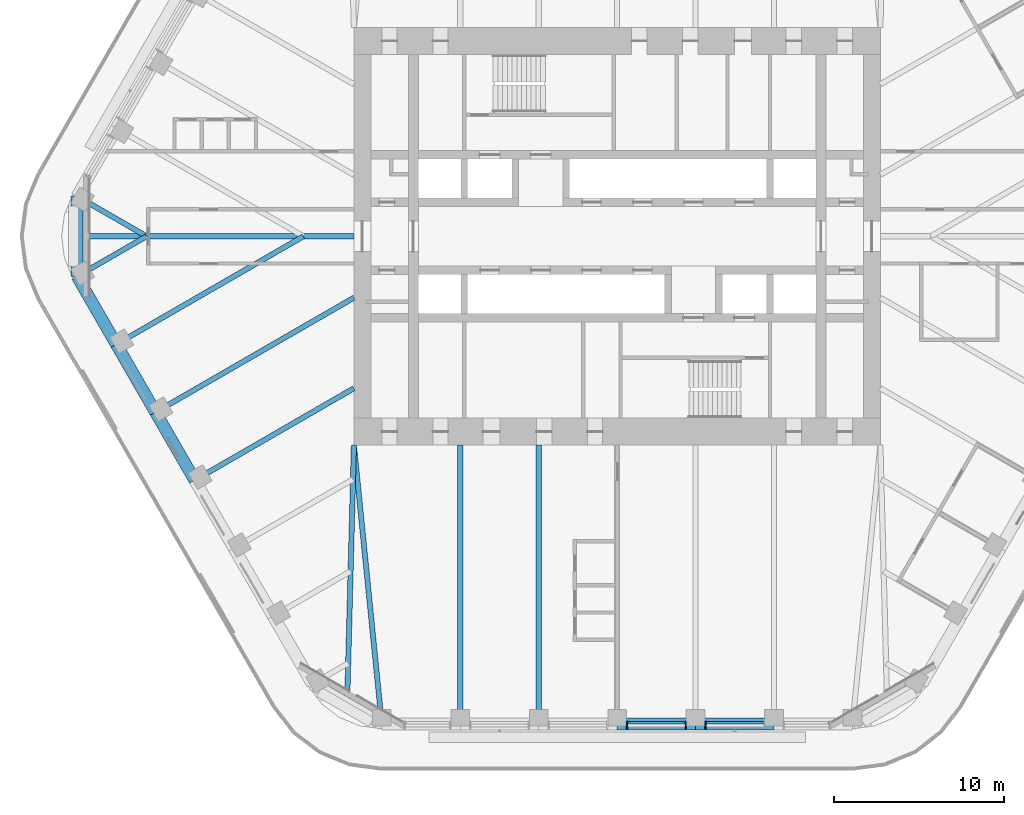
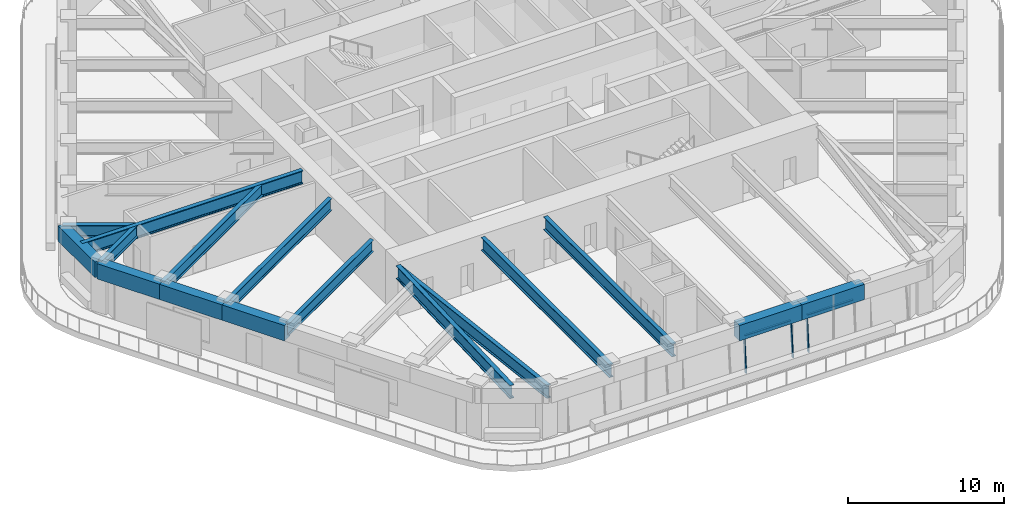
# One storey, part 3 of 20: 16 beams, 5 members, 2 elements without a shape of their own.
"""IFC4 building model written with IfcOpenShell, lengths in metres."""

from ifc_helpers import new_model, si_unit, direction, frame, origin, origin_2d, place, context, subcontext, project, spatial, rectangle, i_section, extrude, material, material_profile, profile_set, type_object, element, aggregate, save


model = new_model("IFC4")

# Units and contexts
model_context = context("Model", 3, precision=1e-05, world=origin(), true_north=direction((0.0, 1.0)))
body_context = subcontext(model_context, "Body", "Model", "MODEL_VIEW")
ifc_project = project(units=[si_unit("LENGTHUNIT", "METRE"), si_unit("AREAUNIT", "SQUARE_METRE"), si_unit("VOLUMEUNIT", "CUBIC_METRE"), si_unit("PLANEANGLEUNIT", "RADIAN"), si_unit("MASSUNIT", "GRAM", prefix="KILO")], contexts=[model_context])

# Site, building, storey
site_placement = place(None, origin())
site = spatial("IfcSite", under=ifc_project, at=site_placement, CompositionType="ELEMENT")
building_placement = place(site_placement, origin())
building = spatial("IfcBuilding", under=site, at=building_placement, Name="Tarfa Lantern Tower", CompositionType="ELEMENT")
storey_placement = place(building_placement, frame((0.0, 0.0, 278.5)))
storey = spatial("IfcBuildingStorey", under=building, at=storey_placement, Name="L63", CompositionType="ELEMENT", Elevation=278.5)

# Curtain wall, members
ifc_material_1 = material(Name="Aluminium framed curtain wall", Category="aluminium")
curtain_wall_type = type_object("IfcCurtainWallType", Name="CW3 CANTED GLAZING HIGH ZONE 2800", PredefinedType="USERDEFINED", material=ifc_material_1)
curtain_wall_1_placement = place(storey_placement, origin())
curtain_wall_1 = element("IfcCurtainWall", 1, at=curtain_wall_1_placement, inside=storey, type_object=curtain_wall_type, Name="CW3 S L63", ObjectType="CURTAIN WALL", PredefinedType="USERDEFINED")
ifc_material_2 = material(Name="Aluminium mullion", Category="aluminium")
ifc_material_profile_1 = material_profile(ifc_material_2, rectangle(XDim=0.06494140625, YDim=0.199951171875, at=origin_2d()), Name="AL MULLION 65x200")
ifc_profile_set_1 = profile_set([ifc_material_profile_1], Name="Aluminium mullion")
member_type_1 = type_object("IfcMemberType", Name="CWM1 MULLION 65x200", PredefinedType="MULLION", material=ifc_profile_set_1)
member_1_placement = place(storey_placement, frame((0.58251953125, -28.89990234375, 0.0), z_axis=(0.0, 0.088930399417, 0.996037842685), x_axis=(-1.0, 0.0, 0.0)))
member_1 = element("IfcMember", 2, at=member_1_placement, type_object=member_type_1, Name="CW3 mullion 1", PredefinedType="MULLION", context=body_context, shape_type="SweptSolid", body=[
    extrude(rectangle(XDim=0.06494140625, YDim=0.199951171875, at=origin_2d()), origin(), (0.0, 0.0, 1.0), 2.811279296875),
])
member_2_placement = place(storey_placement, frame((4.036376953125, -28.89990234375, 0.0), z_axis=(0.0, 0.088930399417, 0.996037842685), x_axis=(-1.0, 0.0, 0.0)))
member_2 = element("IfcMember", 3, at=member_2_placement, type_object=member_type_1, Name="CW3 mullion 2", PredefinedType="MULLION", context=body_context, shape_type="SweptSolid", body=[
    extrude(rectangle(XDim=0.06494140625, YDim=0.199951171875, at=origin_2d()), origin(), (0.0, 0.0, 1.0), 2.811279296875),
])

# Curtain wall, member
curtain_wall_2_placement = place(storey_placement, origin())
curtain_wall_2 = element("IfcCurtainWall", 4, at=curtain_wall_2_placement, inside=storey, type_object=curtain_wall_type, Name="CW3 S L63", ObjectType="CURTAIN WALL", PredefinedType="USERDEFINED")
member_3_placement = place(storey_placement, frame((5.201416015625, -28.89990234375, 0.0), z_axis=(0.0, 0.088930399417, 0.996037842685), x_axis=(-1.0, 0.0, 0.0)))
member_3 = element("IfcMember", 5, at=member_3_placement, type_object=member_type_1, Name="CW3 mullion 1", PredefinedType="MULLION", context=body_context, shape_type="SweptSolid", body=[
    extrude(rectangle(XDim=0.06494140625, YDim=0.199951171875, at=origin_2d()), origin(), (0.0, 0.0, 1.0), 2.811279296875),
])

# Member
ifc_material_3 = material(Name="Aluminium transom", Category="aluminium")
ifc_material_profile_2 = material_profile(ifc_material_3, rectangle(XDim=0.14990234375, YDim=0.06494140625, at=origin_2d()), Name="AL TRANSOM 150x65")
ifc_profile_set_2 = profile_set([ifc_material_profile_2], Name="Aluminium transom")
member_type_2 = type_object("IfcMemberType", Name="CWT1 TRANSOM 150x65", PredefinedType="USERDEFINED", material=ifc_profile_set_2)
member_4_placement = place(storey_placement, frame((0.614990234375, -28.65283203125, 2.767578125), z_axis=(1.0, 0.0, 0.0), x_axis=(0.0, 1.0, 0.0)))
member_4 = element("IfcMember", 6, at=member_4_placement, type_object=member_type_2, Name="CW3 transom 1.2", ObjectType="TRANSOM", PredefinedType="USERDEFINED", context=body_context, shape_type="SweptSolid", body=[
    extrude(rectangle(XDim=0.14990234375, YDim=0.06494140625, at=origin_2d()), origin(), (0.0, 0.0, 1.0), 3.388916015625),
])

aggregate(curtain_wall_1, [member_1, member_2, member_4])

member_5_placement = place(storey_placement, frame((5.23388671875, -28.65283203125, 2.767578125), z_axis=(1.0, 0.0, 0.0), x_axis=(0.0, 1.0, 0.0)))
member_5 = element("IfcMember", 7, at=member_5_placement, type_object=member_type_2, Name="CW3 transom 1.2", ObjectType="TRANSOM", PredefinedType="USERDEFINED", context=body_context, shape_type="SweptSolid", body=[
    extrude(rectangle(XDim=0.14990234375, YDim=0.06494140625, at=origin_2d()), origin(), (0.0, 0.0, 1.0), 3.388671875),
])

aggregate(curtain_wall_2, [member_3, member_5])

# Beams
ifc_material_4 = material(Name="Concrete C80/95", Category="concrete")
ifc_material_profile_3 = material_profile(ifc_material_4, rectangle(XDim=0.699951171875, YDim=1.199951171875, at=origin_2d()), Name="RC 700x1200")
ifc_profile_set_3 = profile_set([ifc_material_profile_3], Name="Concrete C80/95")
beam_type_1 = type_object("IfcBeamType", Name="EB3 RC 700x1200", PredefinedType="SPANDREL", material=ifc_profile_set_3)
beam_1_placement = place(storey_placement, frame((-31.800537109375, 2.360107421875, 3.39990234375), z_axis=(0.0, -1.0, 0.0), x_axis=(1.0, 0.0, 0.0)))
element("IfcBeam", 8, at=beam_1_placement, inside=storey, type_object=beam_type_1, Name="Edge beam NW6", PredefinedType="SPANDREL", context=body_context, shape_type="SweptSolid", body=[
    extrude(rectangle(XDim=0.699951171875, YDim=1.199951171875, at=origin_2d()), origin(), (0.0, 0.0, 1.0), 4.72021484375),
])
beam_2_placement = place(storey_placement, frame((-31.800537109375, -2.360107421875, 3.39990234375), z_axis=(0.500027479704, -0.866009537788, 0.0), x_axis=(0.866009537788, 0.500027479704, 0.0)))
element("IfcBeam", 9, at=beam_2_placement, inside=storey, type_object=beam_type_1, Name="Edge beam SW0", PredefinedType="SPANDREL", context=body_context, shape_type="SweptSolid", body=[
    extrude(rectangle(XDim=0.699951171875, YDim=1.199951171875, at=origin_2d()), origin(), (0.0, 0.0, 1.0), 4.618896484375),
])
for number, where, z_axis, x_axis, name in (
    (10, (-29.490966796875, -6.360107421875, 3.39990234375), (0.499987836815, -0.866032426089, 0.0), (0.866032426089, 0.499987836815, 0.0), "Edge beam SW1"),
    (11, (-27.181640625, -10.360107421875, 3.39990234375), (0.499987836815, -0.866032426089, 0.0), (0.866032426089, 0.499987836815, 0.0), "Edge beam SW2"),
):
    element("IfcBeam", number, at=place(storey_placement, frame(where, z_axis=z_axis, x_axis=x_axis)), inside=storey, type_object=beam_type_1, Name=name, PredefinedType="SPANDREL", context=body_context, shape_type="SweptSolid", body=[
        extrude(rectangle(XDim=0.699951171875, YDim=1.199951171875, at=origin_2d()), origin(), (0.0, 0.0, 1.0), 4.61865234375),
    ])
beam_3_placement = place(storey_placement, frame((0.0, -28.719970703125, 3.39990234375), z_axis=(1.0, 0.0, 0.0), x_axis=(0.0, 1.0, 0.0)))
element("IfcBeam", 12, at=beam_3_placement, inside=storey, type_object=beam_type_1, Name="Edge beam S3", PredefinedType="SPANDREL", context=body_context, shape_type="SweptSolid", body=[
    extrude(rectangle(XDim=0.699951171875, YDim=1.199951171875, at=origin_2d()), origin(), (0.0, 0.0, 1.0), 4.618896484375),
])
beam_4_placement = place(storey_placement, frame((4.618896484375, -28.719970703125, 3.39990234375), z_axis=(1.0, 0.0, 0.0), x_axis=(0.0, 1.0, 0.0)))
element("IfcBeam", 13, at=beam_4_placement, inside=storey, type_object=beam_type_1, Name="Edge beam S4", PredefinedType="SPANDREL", context=body_context, shape_type="SweptSolid", body=[
    extrude(rectangle(XDim=0.699951171875, YDim=1.199951171875, at=origin_2d()), origin(), (0.0, 0.0, 1.0), 4.61865234375),
])
ifc_material_5 = material(Name="Steel S460M", Category="steel")
ifc_material_profile_4 = material_profile(ifc_material_5, i_section(OverallWidth=0.302001953125, OverallDepth=1.008056640625, WebThickness=0.02099609375, FlangeThickness=0.0400390625, FilletRadius=0.030029296875, at=origin_2d()), Name="UB1016x305x349")
ifc_profile_set_4 = profile_set([ifc_material_profile_4], Name="Steel S460M")
beam_type_2 = type_object("IfcBeamType", Name="UB1016x305x349", PredefinedType="BEAM", material=ifc_profile_set_4)
beam_5_placement = place(storey_placement, frame((-13.8564453125, -28.719970703125, 3.495849609375), z_axis=(-0.099597466746, 0.995027810977, 0.0), x_axis=(-0.995027810977, -0.099597466746, 0.0)))
element("IfcBeam", 14, at=beam_5_placement, inside=storey, type_object=beam_type_2, Name="Floor beam S0", PredefinedType="BEAM", context=body_context, shape_type="SweptSolid", body=[
    extrude(i_section(OverallWidth=0.302001953125, OverallDepth=1.008056640625, WebThickness=0.02099609375, FlangeThickness=0.0400390625, FilletRadius=0.030029296875, at=origin_2d()), origin(), (0.0, 0.0, 1.0), 16.501953125),
])
for number, where, z_axis, x_axis, name in (
    (15, (-9.237548828125, -28.719970703125, 3.495849609375), (0.0, 1.0, 0.0), (-1.0, 0.0, 0.0), "Floor beam S1"),
    (16, (-4.618896484375, -28.719970703125, 3.495849609375), (0.0, 1.0, 0.0), (-1.0, 0.0, 0.0), "Floor beam S2"),
):
    element("IfcBeam", number, at=place(storey_placement, frame(where, z_axis=z_axis, x_axis=x_axis)), inside=storey, type_object=beam_type_2, Name=name, PredefinedType="BEAM", context=body_context, shape_type="SweptSolid", body=[
        extrude(i_section(OverallWidth=0.302001953125, OverallDepth=1.008056640625, WebThickness=0.02099609375, FlangeThickness=0.0400390625, FilletRadius=0.030029296875, at=origin_2d()), origin(), (0.0, 0.0, 1.0), 16.419921875),
    ])
ifc_material_profile_5 = material_profile(ifc_material_5, i_section(OverallWidth=0.30859375, OverallDepth=1.036376953125, WebThickness=0.030029296875, FlangeThickness=0.05419921875, FilletRadius=0.030029296875, at=origin_2d()), Name="UB1016x305x487")
ifc_profile_set_5 = profile_set([ifc_material_profile_5], Name="Steel S460M")
beam_type_3 = type_object("IfcBeamType", Name="UB1016x305x487", PredefinedType="BEAM", material=ifc_profile_set_5)
beam_6_placement = place(storey_placement, frame((-15.5, 0.0, 3.48193359375), z_axis=(-1.0, 0.0, 0.0), x_axis=(0.0, -1.0, 0.0)))
element("IfcBeam", 17, at=beam_6_placement, inside=storey, type_object=beam_type_3, Name="Hip girder W", PredefinedType="BEAM", context=body_context, shape_type="SweptSolid", body=[
    extrude(i_section(OverallWidth=0.30859375, OverallDepth=1.036376953125, WebThickness=0.030029296875, FlangeThickness=0.05419921875, FilletRadius=0.030029296875, at=origin_2d()), origin(), (0.0, 0.0, 1.0), 16.300537109375),
])
beam_7_placement = place(storey_placement, frame((-15.5, -12.300048828125, 3.48193359375), z_axis=(-0.026247301989, -0.999655480222, 0.0), x_axis=(0.999655480222, -0.026247301989, 0.0)))
element("IfcBeam", 18, at=beam_7_placement, inside=storey, type_object=beam_type_3, Name="Hip girder SW", PredefinedType="BEAM", context=body_context, shape_type="SweptSolid", body=[
    extrude(i_section(OverallWidth=0.30859375, OverallDepth=1.036376953125, WebThickness=0.030029296875, FlangeThickness=0.05419921875, FilletRadius=0.030029296875, at=origin_2d()), origin(), (0.0, 0.0, 1.0), 15.245361328125),
])
ifc_material_profile_6 = material_profile(ifc_material_5, i_section(OverallWidth=0.305419921875, OverallDepth=0.91845703125, WebThickness=0.017333984375, FlangeThickness=0.02783203125, FilletRadius=0.01904296875, at=origin_2d()), Name="UB914x305x253")
ifc_profile_set_6 = profile_set([ifc_material_profile_6], Name="Steel S460M")
beam_type_4 = type_object("IfcBeamType", Name="UB914x305x253", PredefinedType="BEAM", material=ifc_profile_set_6)
for number, where, z_axis, x_axis, name in (
    (19, (-31.800537109375, 2.360107421875, 3.540771484375), (0.866015897305, -0.500016465344, 0.0), (0.500016465344, 0.866015897305, 0.0), "Floor beam NW6"),
    (20, (-31.800537109375, -2.360107421875, 3.540771484375), (0.866015897305, 0.500016465344, 0.0), (-0.500016465344, 0.866015897305, 0.0), "Floor beam SW0"),
):
    element("IfcBeam", number, at=place(storey_placement, frame(where, z_axis=z_axis, x_axis=x_axis)), inside=storey, type_object=beam_type_4, Name=name, PredefinedType="BEAM", context=body_context, shape_type="SweptSolid", body=[
        extrude(i_section(OverallWidth=0.305419921875, OverallDepth=0.91845703125, WebThickness=0.017333984375, FlangeThickness=0.02783203125, FilletRadius=0.01904296875, at=origin_2d()), origin(), (0.0, 0.0, 1.0), 4.719970703125),
    ])
beam_8_placement = place(storey_placement, frame((-29.490966796875, -6.360107421875, 3.540771484375), z_axis=(0.866022258038, 0.500005448553, 0.0), x_axis=(-0.500005448553, 0.866022258038, 0.0)))
element("IfcBeam", 21, at=beam_8_placement, inside=storey, type_object=beam_type_4, Name="Floor beam SW1", PredefinedType="BEAM", context=body_context, shape_type="SweptSolid", body=[
    extrude(i_section(OverallWidth=0.305419921875, OverallDepth=0.91845703125, WebThickness=0.017333984375, FlangeThickness=0.02783203125, FilletRadius=0.01904296875, at=origin_2d()), origin(), (0.0, 0.0, 1.0), 12.719970703125),
])
beam_9_placement = place(storey_placement, frame((-27.181640625, -10.360107421875, 3.540771484375), z_axis=(0.866018002818, 0.500012818631, 0.0), x_axis=(-0.500012818631, 0.866018002818, 0.0)))
element("IfcBeam", 22, at=beam_9_placement, inside=storey, type_object=beam_type_4, Name="Floor beam SW2", PredefinedType="BEAM", context=body_context, shape_type="SweptSolid", body=[
    extrude(i_section(OverallWidth=0.305419921875, OverallDepth=0.91845703125, WebThickness=0.017333984375, FlangeThickness=0.02783203125, FilletRadius=0.01904296875, at=origin_2d()), origin(), (0.0, 0.0, 1.0), 13.489013671875),
])
beam_10_placement = place(storey_placement, frame((-24.872314453125, -14.360107421875, 3.540771484375), z_axis=(0.8660244219, 0.500001700669, 0.0), x_axis=(-0.500001700669, 0.8660244219, 0.0)))
element("IfcBeam", 23, at=beam_10_placement, inside=storey, type_object=beam_type_4, Name="Floor beam SW3", PredefinedType="BEAM", context=body_context, shape_type="SweptSolid", body=[
    extrude(i_section(OverallWidth=0.305419921875, OverallDepth=0.91845703125, WebThickness=0.017333984375, FlangeThickness=0.02783203125, FilletRadius=0.01904296875, at=origin_2d()), origin(), (0.0, 0.0, 1.0), 10.822265625),
])

save(model, "model.ifc")
